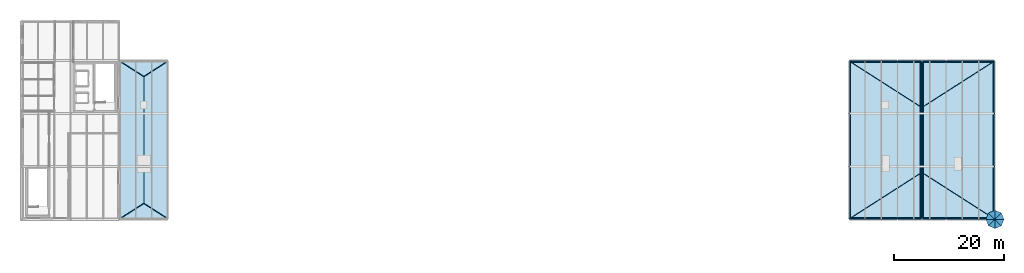
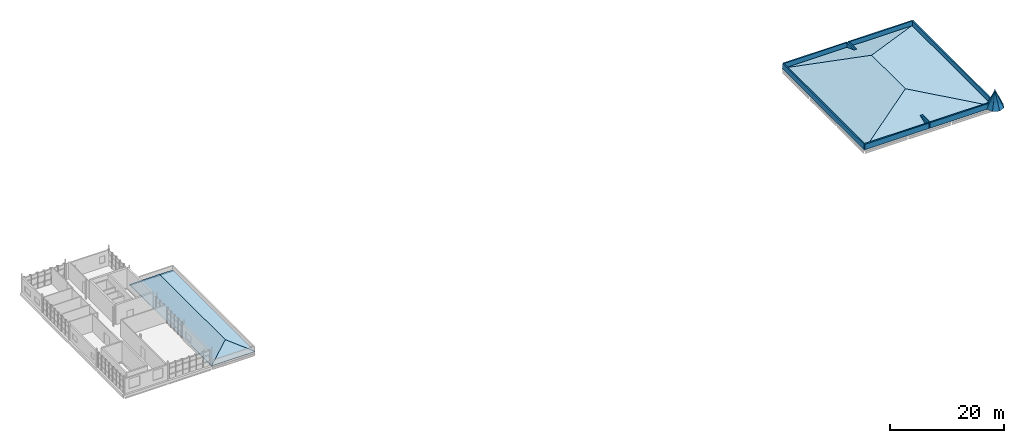
# One storey, part 15 of 16: 16 roofs, 8 walls.
"""IFC4 building model written with IfcOpenShell, lengths in metres."""

from ifc_helpers import new_model, si_unit, direction, frame, frame_2d, origin, place, context, subcontext, project, spatial, polyline, rectangle, outline, extrude, material, layer, layer_set, type_object, element, save


model = new_model("IFC4")

# Units and contexts
model_context = context("Model", 3, precision=1e-05, world=origin(), true_north=direction((0.0, 1.0)))
body_context = subcontext(model_context, "Body", "Model", "MODEL_VIEW")
ifc_project = project(units=[si_unit("LENGTHUNIT", "METRE"), si_unit("AREAUNIT", "SQUARE_METRE"), si_unit("VOLUMEUNIT", "CUBIC_METRE"), si_unit("PLANEANGLEUNIT", "RADIAN"), si_unit("MASSUNIT", "GRAM", prefix="KILO")], contexts=[model_context])

# Site, building, storey
site_placement = place(None, origin())
site = spatial("IfcSite", under=ifc_project, at=site_placement, CompositionType="ELEMENT")
building_placement = place(site_placement, origin())
building = spatial("IfcBuilding", under=site, at=building_placement, Name="Yeouljin Market Hall", CompositionType="ELEMENT")
storey_placement = place(building_placement, frame((0.0, 0.0, 19.199951171875)))
storey = spatial("IfcBuildingStorey", under=building, at=storey_placement, Name="L04", CompositionType="ELEMENT", Elevation=19.199951171875)

# Walls
ifc_material_1 = material(Name="Clinker Brick Masonry F2-S2", Category="masonry")
ifc_layer_1 = layer(ifc_material_1, 0.280029296875)
ifc_layer_set_1 = layer_set([ifc_layer_1], Name="Clinker Brick Masonry F2-S2")
wall_type = type_object("IfcWallType", Name="Wall_Parapet_Clinker_280", PredefinedType="PARAPET", material=ifc_layer_set_1)
wall_1_placement = place(storey_placement, frame((150.050048828125, 0.139892578125, 0.010009765625), z_axis=(0.0, 0.0, 1.0), x_axis=(1.0, 0.0, 0.0)))
element("IfcWall", 1, at=wall_1_placement, inside=storey, type_object=wall_type, Name="Roof parapet RSLB-V3-TOP1-1", PredefinedType="PARAPET", context=body_context, shape_type="SweptSolid", body=[
    extrude(rectangle(XDim=12.9599609375, YDim=0.280029296875, at=frame_2d((6.47998046875, 0.0))), origin(), (0.0, 0.0, 1.0), 1.150146484375),
])
wall_2_placement = place(storey_placement, frame((163.010009765625, 0.139892578125, 0.010009765625), z_axis=(0.0, 0.0, 1.0), x_axis=(0.0, 1.0, 0.0)))
element("IfcWall", 2, at=wall_2_placement, inside=storey, type_object=wall_type, Name="Roof parapet RSLB-V3-TOP1-2", PredefinedType="PARAPET", context=body_context, shape_type="SweptSolid", body=[
    extrude(rectangle(XDim=28.52001953125, YDim=0.280029296875, at=frame_2d((14.260009765625, 0.0))), origin(), (0.0, 0.0, 1.0), 1.150146484375),
])
wall_3_placement = place(storey_placement, frame((163.010009765625, 28.659912109375, 0.010009765625), z_axis=(0.0, 0.0, 1.0), x_axis=(-1.0, 0.0, 0.0)))
element("IfcWall", 3, at=wall_3_placement, inside=storey, type_object=wall_type, Name="Roof parapet RSLB-V3-TOP1-3", PredefinedType="PARAPET", context=body_context, shape_type="SweptSolid", body=[
    extrude(rectangle(XDim=12.9599609375, YDim=0.280029296875, at=frame_2d((6.47998046875, 0.0))), origin(), (0.0, 0.0, 1.0), 1.150146484375),
])
wall_4_placement = place(storey_placement, frame((150.050048828125, 28.659912109375, 0.010009765625), z_axis=(0.0, 0.0, 1.0), x_axis=(0.0, -1.0, 0.0)))
element("IfcWall", 4, at=wall_4_placement, inside=storey, type_object=wall_type, Name="Roof parapet RSLB-V3-TOP1-4", PredefinedType="PARAPET", context=body_context, shape_type="SweptSolid", body=[
    extrude(rectangle(XDim=28.52001953125, YDim=0.280029296875, at=frame_2d((14.260009765625, 0.0))), origin(), (0.0, 0.0, 1.0), 1.150146484375),
])
wall_5_placement = place(storey_placement, frame((163.2900390625, 0.139892578125, 0.010009765625), z_axis=(0.0, 0.0, 1.0), x_axis=(1.0, 0.0, 0.0)))
element("IfcWall", 5, at=wall_5_placement, inside=storey, type_object=wall_type, Name="Roof parapet RSLB-V3-TOP2-1", PredefinedType="PARAPET", context=body_context, shape_type="SweptSolid", body=[
    extrude(rectangle(XDim=12.969970703125, YDim=0.280029296875, at=frame_2d((6.48486328125, 0.0))), origin(), (0.0, 0.0, 1.0), 1.150146484375),
])
wall_6_placement = place(storey_placement, frame((176.260009765625, 0.139892578125, 0.010009765625), z_axis=(0.0, 0.0, 1.0), x_axis=(0.0, 1.0, 0.0)))
element("IfcWall", 6, at=wall_6_placement, inside=storey, type_object=wall_type, Name="Roof parapet RSLB-V3-TOP2-2", PredefinedType="PARAPET", context=body_context, shape_type="SweptSolid", body=[
    extrude(rectangle(XDim=28.52001953125, YDim=0.280029296875, at=frame_2d((14.260009765625, 0.0))), origin(), (0.0, 0.0, 1.0), 1.150146484375),
])
wall_7_placement = place(storey_placement, frame((176.260009765625, 28.659912109375, 0.010009765625), z_axis=(0.0, 0.0, 1.0), x_axis=(-1.0, 0.0, 0.0)))
element("IfcWall", 7, at=wall_7_placement, inside=storey, type_object=wall_type, Name="Roof parapet RSLB-V3-TOP2-3", PredefinedType="PARAPET", context=body_context, shape_type="SweptSolid", body=[
    extrude(rectangle(XDim=12.969970703125, YDim=0.280029296875, at=frame_2d((6.48486328125, 0.0))), origin(), (0.0, 0.0, 1.0), 1.150146484375),
])
wall_8_placement = place(storey_placement, frame((163.2900390625, 28.659912109375, 0.010009765625), z_axis=(0.0, 0.0, 1.0), x_axis=(0.0, -1.0, 0.0)))
element("IfcWall", 8, at=wall_8_placement, inside=storey, type_object=wall_type, Name="Roof parapet RSLB-V3-TOP2-4", PredefinedType="PARAPET", context=body_context, shape_type="SweptSolid", body=[
    extrude(rectangle(XDim=28.52001953125, YDim=0.280029296875, at=frame_2d((14.260009765625, 0.0))), origin(), (0.0, 0.0, 1.0), 1.150146484375),
])

# Roofs
ifc_material_2 = material(Name="Standing Seam Patinated Copper")
ifc_layer_2 = layer(ifc_material_2, 0.219970703125)
ifc_layer_set_2 = layer_set([ifc_layer_2], Name="Standing Seam Patinated Copper")
roof_type_1 = type_object("IfcRoofType", Name="Roof_Amsterdam_Mansard", PredefinedType="MANSARD_ROOF", material=ifc_layer_set_2)
for number, where, z_axis, x_axis, name in (
    (9, (17.699951171875, 28.800048828125, 0.050048828125), (-0.469044779686, 0.0, 0.883174385186), (0.0, -1.0, 0.0), "West academy mansard setback roof RF-V2-L04S-W"),
    (10, (26.550048828125, 0.0, 0.050048828125), (0.469044779686, 0.0, 0.883174385186), (0.0, 1.0, 0.0), "West academy mansard setback roof RF-V2-L04S-E"),
):
    element("IfcRoof", number, at=place(storey_placement, frame(where, z_axis=z_axis, x_axis=x_axis)), inside=storey, type_object=roof_type_1, Name=name, PredefinedType="MANSARD_ROOF", context=body_context, shape_type="SweptSolid", body=[
        extrude(outline(polyline([(0.0, 0.0), (28.800048828125, 0.0), (25.968017578125, 5.010390815615303), (2.83203125, 5.010390815615303), (0.0, 0.0)])), origin(), (0.0, 0.0, -1.0), 0.219970703125),
    ])
for number, where, z_axis, x_axis, name in (
    (11, (17.699951171875, 0.0, 0.050048828125), (0.0, -0.638590859704, 0.769546433884), (1.0, 0.0, 0.0), "West academy mansard setback roof RF-V2-L04S-S"),
    (12, (26.550048828125, 28.800048828125, 0.050048828125), (0.0, 0.638590859704, 0.769546433884), (-1.0, 0.0, 0.0), "West academy mansard setback roof RF-V2-L04S-N"),
):
    element("IfcRoof", number, at=place(storey_placement, frame(where, z_axis=z_axis, x_axis=x_axis)), inside=storey, type_object=roof_type_1, Name=name, PredefinedType="MANSARD_ROOF", context=body_context, shape_type="SweptSolid", body=[
        extrude(outline(polyline([(0.0, 0.0), (8.85009765625, 0.0), (4.425048828125, 3.680130431776611), (0.0, 0.0)])), origin(), (0.0, 0.0, -1.0), 0.219970703125),
    ])
roof_1_placement = place(storey_placement, frame((149.909912109375, 28.800048828125, 0.050048828125), z_axis=(-0.241761201555, 0.0, 0.970335777668), x_axis=(0.0, -1.0, 0.0)))
element("IfcRoof", 13, at=roof_1_placement, inside=storey, type_object=roof_type_1, Name="East harbour dining mansard roof RF-V3-TOP-W", PredefinedType="MANSARD_ROOF", context=body_context, shape_type="SweptSolid", body=[
    extrude(outline(polyline([(0.0, 0.0), (28.800048828125, 0.0), (20.3232421875, 13.650034856315095), (8.476806640625, 13.650034856315095), (0.0, 0.0)])), origin(), (0.0, 0.0, -1.0), 0.219970703125),
])
roof_2_placement = place(storey_placement, frame((176.39990234375, 0.0, 0.050048828125), z_axis=(0.241765397427, 0.0, 0.970334732248), x_axis=(0.0, 1.0, 0.0)))
element("IfcRoof", 14, at=roof_2_placement, inside=storey, type_object=roof_type_1, Name="East harbour dining mansard roof RF-V3-TOP-E", PredefinedType="MANSARD_ROOF", context=body_context, shape_type="SweptSolid", body=[
    extrude(outline(polyline([(0.0, 0.0), (28.800048828125, 0.0), (20.3232421875, 13.649797958059489), (8.476806640625, 13.649797958059489), (0.0, 0.0)])), origin(), (0.0, 0.0, -1.0), 0.219970703125),
])
roof_3_placement = place(storey_placement, frame((149.909912109375, 0.0, 0.050048828125), z_axis=(0.0, -0.362781688207, 0.93187415819), x_axis=(1.0, 0.0, 0.0)))
element("IfcRoof", 15, at=roof_3_placement, inside=storey, type_object=roof_type_1, Name="East harbour dining mansard roof RF-V3-TOP-S", PredefinedType="MANSARD_ROOF", context=body_context, shape_type="SweptSolid", body=[
    extrude(outline(polyline([(0.0, 0.0), (26.489990234375, 0.0), (13.2451171875, 9.096514337401622), (0.0, 0.0)])), origin(), (0.0, 0.0, -1.0), 0.219970703125),
])
roof_4_placement = place(storey_placement, frame((176.39990234375, 28.800048828125, 0.050048828125), z_axis=(0.0, 0.362781688207, 0.93187415819), x_axis=(-1.0, 0.0, 0.0)))
element("IfcRoof", 16, at=roof_4_placement, inside=storey, type_object=roof_type_1, Name="East harbour dining mansard roof RF-V3-TOP-N", PredefinedType="MANSARD_ROOF", context=body_context, shape_type="SweptSolid", body=[
    extrude(outline(polyline([(0.0, 0.0), (26.489990234375, 0.0), (13.244873046875, 9.096514337401622), (0.0, 0.0)])), origin(), (0.0, 0.0, -1.0), 0.219970703125),
])
ifc_material_3 = material(Name="Standing Seam Patinated Copper")
ifc_layer_3 = layer(ifc_material_3, 0.199951171875)
ifc_layer_set_3 = layer_set([ifc_layer_3], Name="Standing Seam Patinated Copper")
roof_type_2 = type_object("IfcRoofType", Name="Roof_Turret_Pavilion", PredefinedType="PAVILION_ROOF", material=ifc_layer_set_3)
roof_5_placement = place(storey_placement, frame((176.39990234375, 0.0, 3.650146484375), z_axis=(0.850717207686, 0.352462873241, 0.389936091601), x_axis=(0.416675937664, 0.0, -0.909055093474)))
element("IfcRoof", 17, at=roof_5_placement, inside=storey, type_object=roof_type_2, Name="Corner turret roof facet SE-MAIN-1", PredefinedType="PAVILION_ROOF", context=body_context, shape_type="SweptSolid", body=[
    extrude(outline(polyline([(0.0, 0.0), (3.9602634450793697, 0.0), (3.7588429478687337, 1.2467577301013573), (0.0, 0.0)])), origin(), (0.0, 0.0, -1.0), 0.179931640625),
])
roof_6_placement = place(storey_placement, frame((176.39990234375, 0.0, 3.650146484375), z_axis=(0.352314887563, 0.850789715849, 0.389911630253), x_axis=(0.294617327946, 0.294617327946, -0.909066147289)))
element("IfcRoof", 18, at=roof_6_placement, inside=storey, type_object=roof_type_2, Name="Corner turret roof facet SE-MAIN-2", PredefinedType="PAVILION_ROOF", context=body_context, shape_type="SweptSolid", body=[
    extrude(outline(polyline([(0.0, 0.0), (3.9602152901464835, 1.1102230246251565e-16), (3.758816726120699, 1.246666634623609), (0.0, 0.0)])), origin(), (0.0, 0.0, -1.0), 0.179931640625),
])
roof_7_placement = place(storey_placement, frame((176.39990234375, 0.0, 3.650146484375), z_axis=(-0.352379469293, 0.850767612067, 0.389901500227), x_axis=(0.0, 0.416624991309, -0.909078443599)))
element("IfcRoof", 19, at=roof_7_placement, inside=storey, type_object=roof_type_2, Name="Corner turret roof facet SE-MAIN-3", PredefinedType="PAVILION_ROOF", context=body_context, shape_type="SweptSolid", body=[
    extrude(outline(polyline([(0.0, 0.0), (3.9601617237744833, -1.1102230246251565e-16), (3.7588675690380033, 1.2464550136905104), (0.0, 0.0)])), origin(), (0.0, 0.0, -1.0), 0.179931640625),
])
roof_8_placement = place(storey_placement, frame((176.39990234375, 0.0, 3.650146484375), z_axis=(-0.850736344612, 0.352470801911, 0.389887170547), x_axis=(-0.294561029127, 0.294622678568, -0.909082657074)))
element("IfcRoof", 20, at=roof_8_placement, inside=storey, type_object=roof_type_2, Name="Corner turret roof facet SE-MAIN-4", PredefinedType="PAVILION_ROOF", context=body_context, shape_type="SweptSolid", body=[
    extrude(outline(polyline([(0.0, 0.0), (3.9601433689602556, 1.1102230246251565e-16), (3.7587832754045785, 1.2467674871391692), (0.0, 0.0)])), origin(), (0.0, 0.0, -1.0), 0.179931640625),
])
roof_9_placement = place(storey_placement, frame((176.39990234375, 0.0, 3.650146484375), z_axis=(-0.850736344612, -0.352470801911, 0.389887170547), x_axis=(-0.416624991309, 0.0, -0.909078443599)))
element("IfcRoof", 21, at=roof_9_placement, inside=storey, type_object=roof_type_2, Name="Corner turret roof facet SE-MAIN-5", PredefinedType="PAVILION_ROOF", context=body_context, shape_type="SweptSolid", body=[
    extrude(outline(polyline([(0.0, 0.0), (3.9601617237744833, -1.1102230246251565e-16), (3.7587658539522346, 1.2467617085404124), (0.0, 0.0)])), origin(), (0.0, 0.0, -1.0), 0.179931640625),
])
roof_10_placement = place(storey_placement, frame((176.39990234375, 0.0, 3.650146484375), z_axis=(-0.352379469293, -0.850767612067, 0.389901500227), x_axis=(-0.294561029127, -0.294622678568, -0.909082657074)))
element("IfcRoof", 22, at=roof_10_placement, inside=storey, type_object=roof_type_2, Name="Corner turret roof facet SE-MAIN-6", PredefinedType="PAVILION_ROOF", context=body_context, shape_type="SweptSolid", body=[
    extrude(outline(polyline([(0.0, 0.0), (3.9601433689602556, 1.1102230246251565e-16), (3.758884990961785, 1.2464607908677712), (0.0, 0.0)])), origin(), (0.0, 0.0, -1.0), 0.179931640625),
])
roof_11_placement = place(storey_placement, frame((176.39990234375, 0.0, 3.650146484375), z_axis=(0.352314887563, -0.850789715849, 0.389911630253), x_axis=(0.0, -0.416624991309, -0.909078443599)))
element("IfcRoof", 23, at=roof_11_placement, inside=storey, type_object=roof_type_2, Name="Corner turret roof facet SE-MAIN-7", PredefinedType="PAVILION_ROOF", context=body_context, shape_type="SweptSolid", body=[
    extrude(outline(polyline([(0.0, 0.0), (3.9601617237744833, 0.0), (3.758867569038003, 1.2466834974219916), (0.0, 0.0)])), origin(), (0.0, 0.0, -1.0), 0.179931640625),
])
roof_12_placement = place(storey_placement, frame((176.39990234375, 0.0, 3.650146484375), z_axis=(0.850717207686, -0.352462873241, 0.389936091601), x_axis=(0.294617327946, -0.294617327946, -0.909066147289)))
element("IfcRoof", 24, at=roof_12_placement, inside=storey, type_object=roof_type_2, Name="Corner turret roof facet SE-MAIN-8", PredefinedType="PAVILION_ROOF", context=body_context, shape_type="SweptSolid", body=[
    extrude(outline(polyline([(0.0, 0.0), (3.9602152901464835, -1.1102230246251565e-16), (3.75888865417928, 1.2467728902707973), (0.0, 0.0)])), origin(), (0.0, 0.0, -1.0), 0.179931640625),
])

save(model, "model.ifc")
